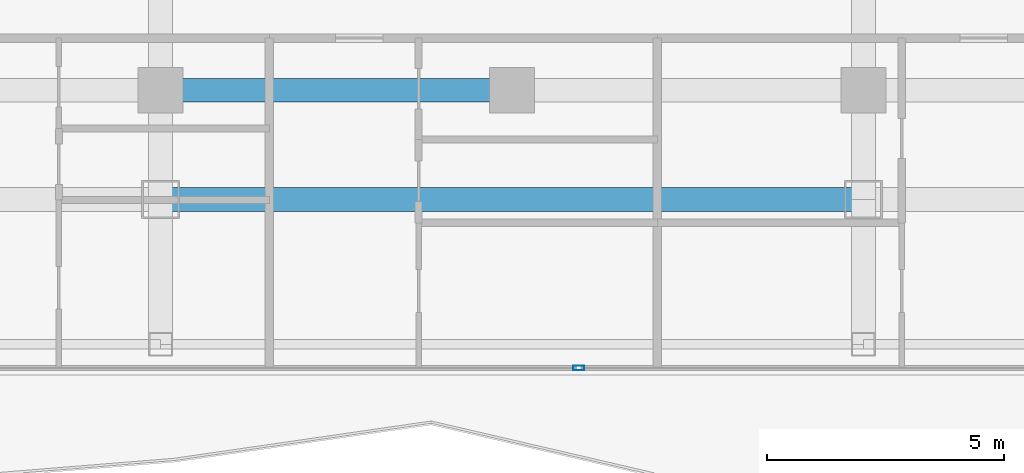
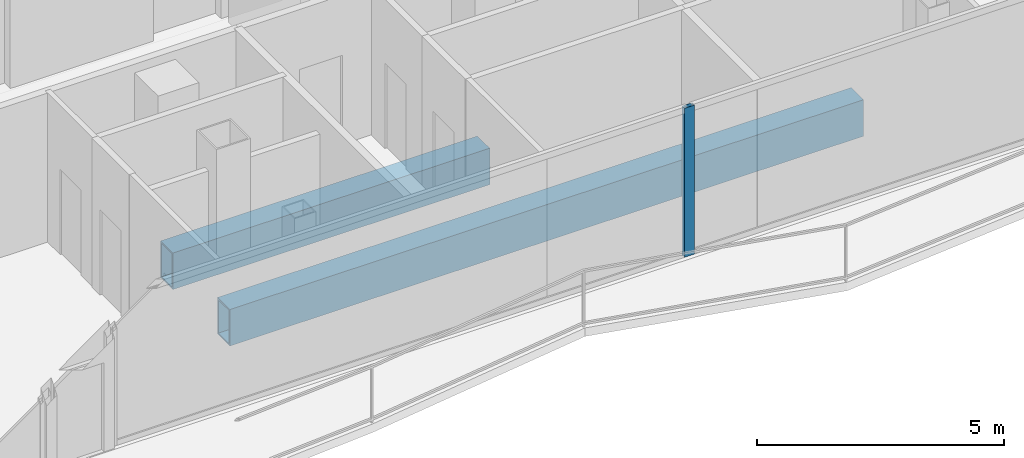
# One storey, part 4 of 24: 2 beams, 1 member, 1 element without a shape of its own.
"""IFC4 building model written with IfcOpenShell, lengths in metres."""

from ifc_helpers import new_model, si_unit, direction, frame, origin, origin_2d, place, context, subcontext, project, spatial, hollow_rectangle, extrude, material, layer, layer_set, material_profile, profile_set, type_object, element, aggregate, save


model = new_model("IFC4")

# Units and contexts
model_context = context("Model", 3, precision=1e-05, world=origin(), true_north=direction((0.0, 1.0)))
body_context = subcontext(model_context, "Body", "Model", "MODEL_VIEW")
ifc_project = project(units=[si_unit("LENGTHUNIT", "METRE"), si_unit("AREAUNIT", "SQUARE_METRE"), si_unit("VOLUMEUNIT", "CUBIC_METRE"), si_unit("PLANEANGLEUNIT", "RADIAN"), si_unit("MASSUNIT", "GRAM", prefix="KILO")], contexts=[model_context])

# Site, building, storey
site_placement = place(None, origin())
site = spatial("IfcSite", under=ifc_project, at=site_placement, CompositionType="ELEMENT")
building_placement = place(site_placement, origin())
building = spatial("IfcBuilding", under=site, at=building_placement, Name="Khorvyn Point Tower", CompositionType="ELEMENT")
storey_placement = place(building_placement, frame((0.0, 0.0, 285.89990234375)))
storey = spatial("IfcBuildingStorey", under=building, at=storey_placement, Name="L70", CompositionType="ELEMENT", Elevation=285.89990234375)

# Curtain wall, member
ifc_material_1 = material(Name="Anodised aluminium 6063-T6 and laminated Low-E glass", Category="aluminium")
ifc_layer = layer(ifc_material_1, 0.18994140625)
ifc_layer_set = layer_set([ifc_layer], Name="Stick-Built High-Wind Curtain Wall CW-SYS-04")
curtain_wall_type = type_object("IfcCurtainWallType", Name="Stick-Built High-Wind Curtain Wall CW-SYS-04", PredefinedType="NOTDEFINED", material=ifc_layer_set)
curtain_wall_placement = place(storey_placement, origin())
curtain_wall = element("IfcCurtainWall", 1, at=curtain_wall_placement, inside=storey, type_object=curtain_wall_type, Name="Curtain Wall", PredefinedType="NOTDEFINED")
ifc_material_2 = material(Name="Anodised aluminium 6063-T6", Category="aluminium")
ifc_material_profile_1 = material_profile(ifc_material_2, hollow_rectangle(XDim=0.10009765625, YDim=0.239990234375, WallThickness=0.0048828125, at=origin_2d()))
ifc_profile_set_1 = profile_set([ifc_material_profile_1], Name="Anodised aluminium 6063-T6 ALU-MUL-100x240")
member_type = type_object("IfcMemberType", Name="Anodised Aluminium 6063-T6 Mullion ALU-MUL-100x240", PredefinedType="MULLION", material=ifc_profile_set_1)
member_placement = place(storey_placement, frame((1.405029296875, -20.64990234375, 0.0), z_axis=(0.0, 0.0, 1.0), x_axis=(0.0, -1.0, 0.0)))
member = element("IfcMember", 2, at=member_placement, type_object=member_type, Name="Transom", PredefinedType="MULLION", context=body_context, shape_type="SweptSolid", body=[
    extrude(hollow_rectangle(XDim=0.10009765625, YDim=0.239990234375, WallThickness=0.0048828125, at=origin_2d()), origin(), (0.0, 0.0, 1.0), 3.68017578125),
])
aggregate(curtain_wall, [member])

# Beams
ifc_material_3 = material(Name="Steel S450", Category="steel")
ifc_material_profile_2 = material_profile(ifc_material_3, hollow_rectangle(XDim=0.5, YDim=0.89990234375, WallThickness=0.0400390625, at=origin_2d()))
ifc_profile_set_2 = profile_set([ifc_material_profile_2], Name="Steel S450 BOX900x500x40")
beam_type = type_object("IfcBeamType", Name="Steel S450 Beam BOX900x500x40", PredefinedType="BEAM", material=ifc_profile_set_2)
beam_1_placement = place(storey_placement, frame((-7.39990234375, -14.800048828125, -0.72998046875), z_axis=(1.0, 0.0, 0.0), x_axis=(0.0, 1.0, 0.0)))
element("IfcBeam", 3, at=beam_1_placement, inside=storey, type_object=beam_type, Name="L70 Radial Transfer Girder", PredefinedType="BEAM", context=body_context, shape_type="SweptSolid", body=[
    extrude(hollow_rectangle(XDim=0.5, YDim=0.89990234375, WallThickness=0.0400390625, at=origin_2d()), origin(), (0.0, 0.0, 1.0), 7.39990234375),
])
beam_2_placement = place(storey_placement, frame((-7.39990234375, -17.10009765625, -0.72998046875), z_axis=(1.0, 0.0, 0.0), x_axis=(0.0, 1.0, 0.0)))
element("IfcBeam", 4, at=beam_2_placement, inside=storey, type_object=beam_type, Name="Beam", PredefinedType="BEAM", context=body_context, shape_type="SweptSolid", body=[
    extrude(hollow_rectangle(XDim=0.5, YDim=0.89990234375, WallThickness=0.0400390625, at=origin_2d()), origin(), (0.0, 0.0, 1.0), 14.7998046875),
])

save(model, "model.ifc")
